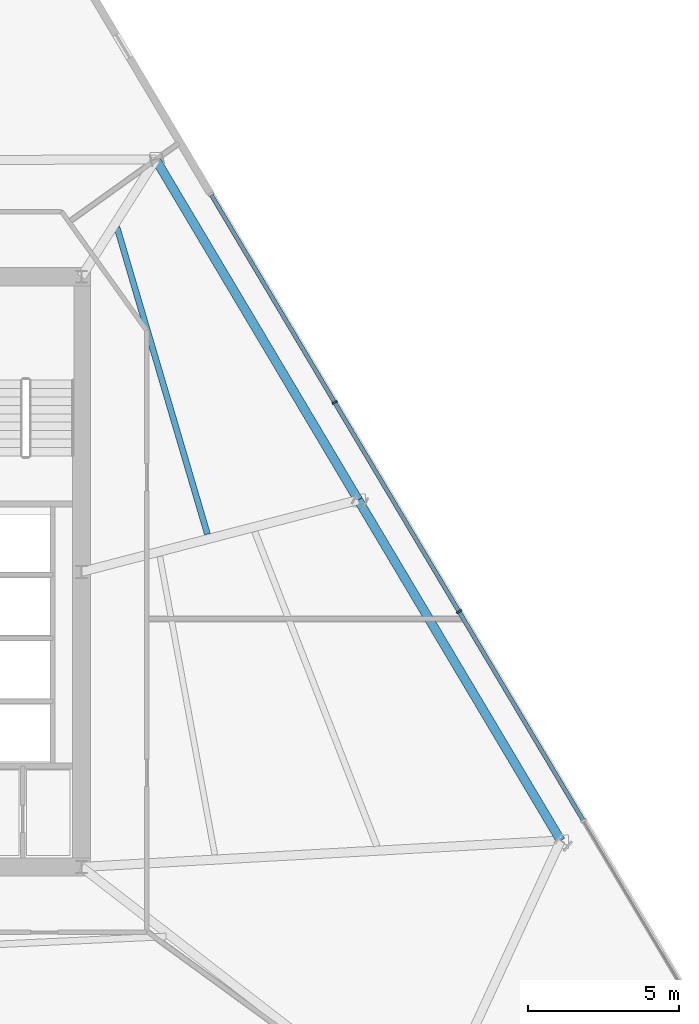
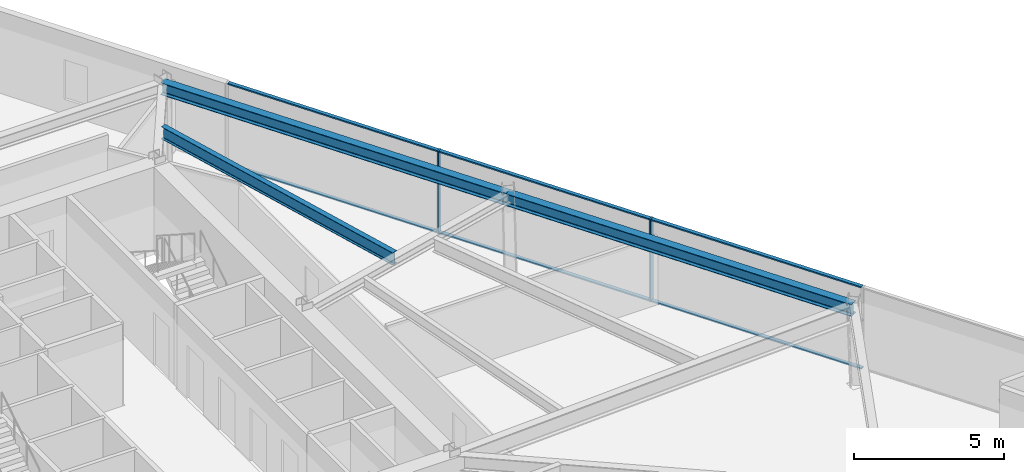
# One storey, part 5 of 15: 8 members, 3 beams, 1 element without a shape of its own.
"""IFC4 building model written with IfcOpenShell, lengths in metres."""

from ifc_helpers import new_model, si_unit, direction, frame, origin, origin_2d, place, context, subcontext, project, spatial, rectangle, i_section, extrude, material, material_profile, profile_set, type_object, element, aggregate, save


model = new_model("IFC4")

# Units and contexts
model_context = context("Model", 3, precision=1e-05, world=origin(), true_north=direction((0.0, 1.0)))
body_context = subcontext(model_context, "Body", "Model", "MODEL_VIEW")
ifc_project = project(units=[si_unit("LENGTHUNIT", "METRE"), si_unit("AREAUNIT", "SQUARE_METRE"), si_unit("VOLUMEUNIT", "CUBIC_METRE"), si_unit("PLANEANGLEUNIT", "RADIAN"), si_unit("MASSUNIT", "GRAM", prefix="KILO")], contexts=[model_context])

# Site, building, storey
site_placement = place(None, origin())
site = spatial("IfcSite", under=ifc_project, at=site_placement, CompositionType="ELEMENT")
building_placement = place(site_placement, origin())
building = spatial("IfcBuilding", under=site, at=building_placement, Name="Savorim Split Tower", CompositionType="ELEMENT")
storey_placement = place(building_placement, frame((0.0, 0.0, 86.10009765625)))
storey = spatial("IfcBuildingStorey", under=building, at=storey_placement, Name="L22", CompositionType="ELEMENT", Elevation=86.10009765625)

# Beams
ifc_material_1 = material(Name="Steel S355", Category="steel")
ifc_material_profile_1 = material_profile(ifc_material_1, i_section(OverallWidth=0.199951171875, OverallDepth=0.5, WebThickness=0.01025390625, FlangeThickness=0.01611328125, FilletRadius=0.02099609375, at=origin_2d()), Name="IPE 500")
ifc_profile_set_1 = profile_set([ifc_material_profile_1], Name="Steel S355")
beam_type_1 = type_object("IfcBeamType", Name="BM-JST-IPE500", PredefinedType="JOIST", material=ifc_profile_set_1)
beam_1_placement = place(storey_placement, frame((11.8828125, 1.6513671875, 3.099853515625), z_axis=(-0.282757453276, 0.95919144211, 0.0), x_axis=(-0.95919144211, -0.282757453276, 0.0)))
element("IfcBeam", 1, at=beam_1_placement, inside=storey, type_object=beam_type_1, Name="L22 Secondary Floor Joist JS-07", PredefinedType="JOIST", context=body_context, shape_type="SweptSolid", body=[
    extrude(i_section(OverallWidth=0.199951171875, OverallDepth=0.5, WebThickness=0.01025390625, FlangeThickness=0.01611328125, FilletRadius=0.02099609375, at=origin_2d()), origin(), (0.0, 0.0, 1.0), 10.6201171875),
])
ifc_material_profile_2 = material_profile(ifc_material_1, i_section(OverallWidth=0.300048828125, OverallDepth=0.489990234375, WebThickness=0.011962890625, FlangeThickness=0.02294921875, FilletRadius=0.027099609375, at=origin_2d()), Name="HEA 500")
ifc_profile_set_2 = profile_set([ifc_material_profile_2], Name="Steel S355")
beam_type_2 = type_object("IfcBeamType", Name="BM-SPN-HEA500", PredefinedType="SPANDREL", material=ifc_profile_set_2)
beam_2_placement = place(storey_placement, frame((23.615234375, -8.521728515625, 3.10498046875), z_axis=(-0.511088732011, 0.859527956504, 0.0), x_axis=(-0.859527956504, -0.511088732011, 0.0)))
element("IfcBeam", 2, at=beam_2_placement, inside=storey, type_object=beam_type_2, Name="L22 Perimeter Spandrel Beam 5", PredefinedType="SPANDREL", context=body_context, shape_type="SweptSolid", body=[
    extrude(i_section(OverallWidth=0.300048828125, OverallDepth=0.489990234375, WebThickness=0.011962890625, FlangeThickness=0.02294921875, FilletRadius=0.027099609375, at=origin_2d()), origin(), (0.0, 0.0, 1.0), 13.156494140625),
])
beam_3_placement = place(storey_placement, frame((16.89111328125, 2.78662109375, 3.10498046875), z_axis=(-0.511096883986, 0.85952310916, 0.0), x_axis=(-0.85952310916, -0.511096883986, 0.0)))
element("IfcBeam", 3, at=beam_3_placement, inside=storey, type_object=beam_type_2, Name="L22 Perimeter Spandrel Beam 6", PredefinedType="SPANDREL", context=body_context, shape_type="SweptSolid", body=[
    extrude(i_section(OverallWidth=0.300048828125, OverallDepth=0.489990234375, WebThickness=0.011962890625, FlangeThickness=0.02294921875, FilletRadius=0.027099609375, at=origin_2d()), origin(), (0.0, 0.0, 1.0), 13.15625),
])

# Curtain wall, members
ifc_material_2 = material(Name="Dark Ceramic-Fritted Insulated Glass", Category="glass")
curtain_wall_type = type_object("IfcCurtainWallType", Name="CW-TWR-FRIT-A", PredefinedType="NOTDEFINED", material=ifc_material_2)
curtain_wall_placement = place(storey_placement, origin())
curtain_wall = element("IfcCurtainWall", 4, at=curtain_wall_placement, inside=storey, type_object=curtain_wall_type, Name="L22 Curtain Wall CW-L22-EAST", PredefinedType="NOTDEFINED")
ifc_material_3 = material(Name="Charcoal Anodised Aluminium", Category="aluminium")
ifc_material_profile_3 = material_profile(ifc_material_3, rectangle(XDim=0.179931640625, YDim=0.06494140625, at=origin_2d()), Name="ALU-M 180x65")
ifc_profile_set_3 = profile_set([ifc_material_profile_3], Name="Charcoal Anodised Aluminium")
member_type_1 = type_object("IfcMemberType", Name="CWM-180x65", PredefinedType="MULLION", material=ifc_profile_set_3)
member_1_placement = place(storey_placement, frame((20.23681640625, -0.91845703125, 0.0), z_axis=(0.0, 0.0, 1.0), x_axis=(-0.859524537852, -0.511094481315, 0.0)))
member_1 = element("IfcMember", 5, at=member_1_placement, type_object=member_type_1, Name="CW-02 mullion 3", PredefinedType="MULLION", context=body_context, shape_type="SweptSolid", body=[
    extrude(rectangle(XDim=0.179931640625, YDim=0.06494140625, at=origin_2d()), origin(), (0.0, 0.0, 1.0), 3.349853515625),
])
member_2_placement = place(storey_placement, frame((16.106689453125, 6.027099609375, 0.0), z_axis=(0.0, 0.0, 1.0), x_axis=(-0.859524537852, -0.511094481315, 0.0)))
member_2 = element("IfcMember", 6, at=member_2_placement, type_object=member_type_1, Name="CW-02 mullion 4", PredefinedType="MULLION", context=body_context, shape_type="SweptSolid", body=[
    extrude(rectangle(XDim=0.179931640625, YDim=0.06494140625, at=origin_2d()), origin(), (0.0, 0.0, 1.0), 3.349853515625),
])
ifc_material_profile_4 = material_profile(ifc_material_3, rectangle(XDim=0.139892578125, YDim=0.054931640625, at=origin_2d()), Name="ALU-T 140x55")
ifc_profile_set_4 = profile_set([ifc_material_profile_4], Name="Charcoal Anodised Aluminium")
member_type_2 = type_object("IfcMemberType", Name="CWT-140x55", PredefinedType="USERDEFINED", material=ifc_profile_set_4)
member_3_placement = place(storey_placement, frame((24.35009765625, -7.836181640625, 0.02734375), z_axis=(-0.511074176555, 0.859536611238, 0.0), x_axis=(-0.859536611238, -0.511074176555, 0.0)))
member_3 = element("IfcMember", 7, at=member_3_placement, type_object=member_type_2, Name="CW-02 transom 2.1", ObjectType="TRANSOM", PredefinedType="USERDEFINED", context=body_context, shape_type="SweptSolid", body=[
    extrude(rectangle(XDim=0.139892578125, YDim=0.054931640625, at=origin_2d()), origin(), (0.0, 0.0, 1.0), 8.015869140625),
])
member_4_placement = place(storey_placement, frame((24.35009765625, -7.836181640625, 3.322509765625), z_axis=(-0.511074176555, 0.859536611238, 0.0), x_axis=(-0.859536611238, -0.511074176555, 0.0)))
member_4 = element("IfcMember", 8, at=member_4_placement, type_object=member_type_2, Name="CW-02 transom 2.2", ObjectType="TRANSOM", PredefinedType="USERDEFINED", context=body_context, shape_type="SweptSolid", body=[
    extrude(rectangle(XDim=0.139892578125, YDim=0.054931640625, at=origin_2d()), origin(), (0.0, 0.0, 1.0), 8.015869140625),
])
member_5_placement = place(storey_placement, frame((20.22021484375, -0.890380859375, 0.02734375), z_axis=(-0.511110057984, 0.859515275389, 0.0), x_axis=(-0.859515275389, -0.511110057984, 0.0)))
member_5 = element("IfcMember", 9, at=member_5_placement, type_object=member_type_2, Name="CW-02 transom 3.1", ObjectType="TRANSOM", PredefinedType="USERDEFINED", context=body_context, shape_type="SweptSolid", body=[
    extrude(rectangle(XDim=0.139892578125, YDim=0.054931640625, at=origin_2d()), origin(), (0.0, 0.0, 1.0), 8.015625),
])
member_6_placement = place(storey_placement, frame((20.22021484375, -0.890380859375, 3.322509765625), z_axis=(-0.511110057984, 0.859515275389, 0.0), x_axis=(-0.859515275389, -0.511110057984, 0.0)))
member_6 = element("IfcMember", 10, at=member_6_placement, type_object=member_type_2, Name="CW-02 transom 3.2", ObjectType="TRANSOM", PredefinedType="USERDEFINED", context=body_context, shape_type="SweptSolid", body=[
    extrude(rectangle(XDim=0.139892578125, YDim=0.054931640625, at=origin_2d()), origin(), (0.0, 0.0, 1.0), 8.015625),
])
member_7_placement = place(storey_placement, frame((16.090087890625, 6.05517578125, 0.02734375), z_axis=(-0.511082720603, 0.859531530952, 0.0), x_axis=(-0.859531530952, -0.511082720603, 0.0)))
member_7 = element("IfcMember", 11, at=member_7_placement, type_object=member_type_2, Name="CW-02 transom 4.1", ObjectType="TRANSOM", PredefinedType="USERDEFINED", context=body_context, shape_type="SweptSolid", body=[
    extrude(rectangle(XDim=0.139892578125, YDim=0.054931640625, at=origin_2d()), origin(), (0.0, 0.0, 1.0), 7.983154296875),
])
member_8_placement = place(storey_placement, frame((16.090087890625, 6.05517578125, 3.322509765625), z_axis=(-0.511082720603, 0.859531530952, 0.0), x_axis=(-0.859531530952, -0.511082720603, 0.0)))
member_8 = element("IfcMember", 12, at=member_8_placement, type_object=member_type_2, Name="CW-02 transom 4.2", ObjectType="TRANSOM", PredefinedType="USERDEFINED", context=body_context, shape_type="SweptSolid", body=[
    extrude(rectangle(XDim=0.139892578125, YDim=0.054931640625, at=origin_2d()), origin(), (0.0, 0.0, 1.0), 7.983154296875),
])
aggregate(curtain_wall, [member_1, member_2, member_3, member_4, member_5, member_6, member_7, member_8])

save(model, "model.ifc")
